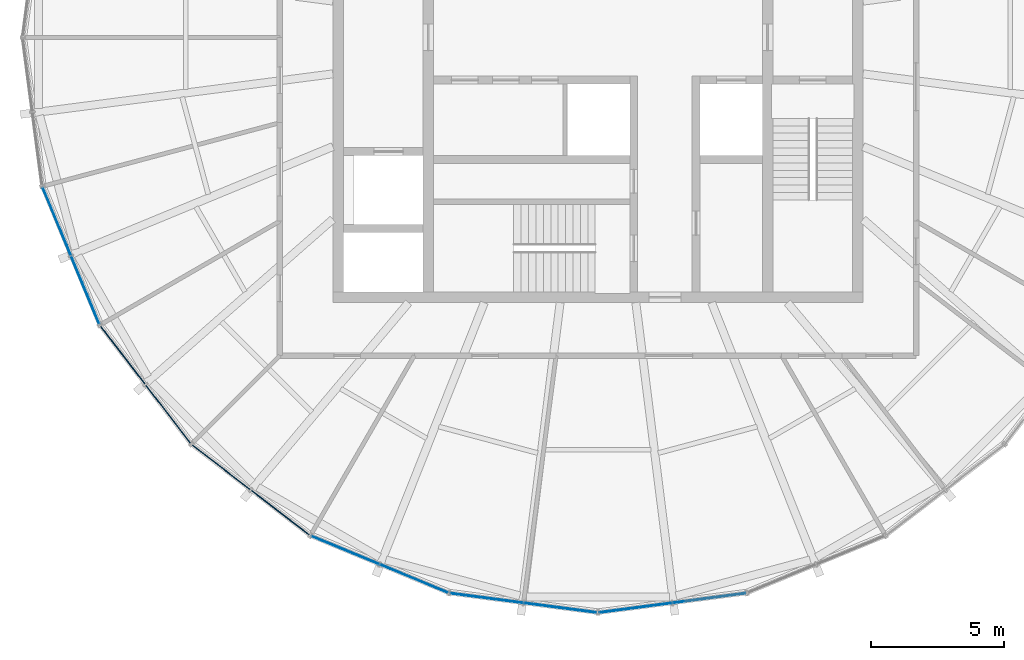
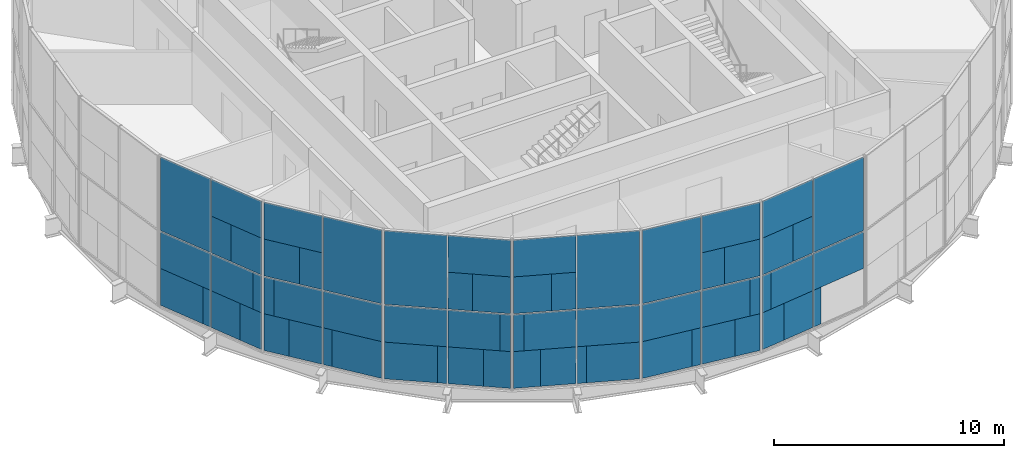
# One storey, part 8 of 18: 65 plates, 6 elements without a shape of their own.
"""IFC4 building model written with IfcOpenShell, lengths in metres."""

from ifc_helpers import new_model, si_unit, direction, frame, origin, origin_2d, place, context, subcontext, project, spatial, rectangle, extrude, material, layer, layer_set, type_object, element, aggregate, save


model = new_model("IFC4")

# Units and contexts
model_context = context("Model", 3, precision=1e-05, world=origin(), true_north=direction((0.0, 1.0)))
body_context = subcontext(model_context, "Body", "Model", "MODEL_VIEW")
ifc_project = project(units=[si_unit("LENGTHUNIT", "METRE"), si_unit("AREAUNIT", "SQUARE_METRE"), si_unit("VOLUMEUNIT", "CUBIC_METRE"), si_unit("PLANEANGLEUNIT", "RADIAN"), si_unit("MASSUNIT", "GRAM", prefix="KILO")], contexts=[model_context])

# Site, building, storey
site_placement = place(None, origin())
site = spatial("IfcSite", under=ifc_project, at=site_placement, CompositionType="ELEMENT")
building_placement = place(site_placement, origin())
building = spatial("IfcBuilding", under=site, at=building_placement, Name="Golbaran Civic Tower", CompositionType="ELEMENT")
storey_placement = place(building_placement, frame((0.0, 0.0, 272.0)))
storey = spatial("IfcBuildingStorey", under=building, at=storey_placement, Name="L66", CompositionType="ELEMENT", Elevation=272.0)

# Curtain wall, plates
ifc_material_1 = material(Name="Aluminium and glass", Category="aluminium")
curtain_wall_type = type_object("IfcCurtainWallType", Name="INNER SKIN CURTAIN WALL EXECUTIVE", PredefinedType="NOTDEFINED", material=ifc_material_1)
curtain_wall_1_placement = place(storey_placement, origin())
curtain_wall_1 = element("IfcCurtainWall", 1, at=curtain_wall_1_placement, inside=storey, type_object=curtain_wall_type, Name="Inner skin L66 facet 14 CW2", ObjectType="INNER SKIN", PredefinedType="USERDEFINED")
ifc_material_2 = material(Name="Clear insulating glass", Category="glass")
ifc_layer_1 = layer(ifc_material_2, 0.031982421875, Name="Clear insulating glass")
ifc_layer_set_1 = layer_set([ifc_layer_1], Name="Clear insulating glass")
plate_type_1 = type_object("IfcPlateType", Name="INNER SKIN CURTAIN WALL EXECUTIVE GLAZED PANEL", PredefinedType="CURTAIN_PANEL", material=ifc_layer_set_1)
plate_1_placement = place(storey_placement, frame((-20.48876953125, -6.7529296875, 0.06005859375), z_axis=(0.0, 0.0, 1.0), x_axis=(0.382683432397, -0.923879532498, 0.0)))
plate_1 = element("IfcPlate", 2, at=plate_1_placement, type_object=plate_type_1, Name="CW2 panel 1.1 part 1", PredefinedType="CURTAIN_PANEL", context=body_context, shape_type="SweptSolid", body=[
    extrude(rectangle(XDim=2.341064453125, YDim=0.031982421875, at=origin_2d()), origin(), (0.0, 0.0, 1.0), 1.955078125),
])
plate_2_placement = place(storey_placement, frame((-20.411865234375, -6.938232421875, 2.014892578125), z_axis=(0.0, 0.0, 1.0), x_axis=(0.382683432397, -0.923879532498, 0.0)))
plate_2 = element("IfcPlate", 3, at=plate_2_placement, type_object=plate_type_1, Name="CW2 panel 1.1 part 3", PredefinedType="CURTAIN_PANEL", context=body_context, shape_type="SweptSolid", body=[
    extrude(rectangle(XDim=2.7421875, YDim=0.031982421875, at=origin_2d()), origin(), (0.0, 0.0, 1.0), 1.955078125),
])
plate_3_placement = place(storey_placement, frame((-20.411865234375, -6.938232421875, 4.0302734375), z_axis=(0.0, 0.0, 1.0), x_axis=(0.382683432397, -0.923879532498, 0.0)))
plate_3 = element("IfcPlate", 4, at=plate_3_placement, type_object=plate_type_1, Name="CW2 panel 1.2", PredefinedType="CURTAIN_PANEL", context=body_context, shape_type="SweptSolid", body=[
    extrude(rectangle(XDim=2.7421875, YDim=0.031982421875, at=origin_2d()), origin(), (0.0, 0.0, 1.0), 3.909912109375),
])
plate_4_placement = place(storey_placement, frame((-19.041259765625, -10.24755859375, 0.06005859375), z_axis=(0.0, 0.0, 1.0), x_axis=(0.382683432397, -0.923879532498, 0.0)))
plate_4 = element("IfcPlate", 5, at=plate_4_placement, type_object=plate_type_1, Name="CW2 panel 2.1 part 2", PredefinedType="CURTAIN_PANEL", context=body_context, shape_type="SweptSolid", body=[
    extrude(rectangle(XDim=1.183349609375, YDim=0.031982421875, at=origin_2d()), origin(), (0.0, 0.0, 1.0), 1.955078125),
])
plate_5_placement = place(storey_placement, frame((-18.90283203125, -10.58154296875, 2.014892578125), z_axis=(0.0, 0.0, 1.0), x_axis=(0.382683432397, -0.923879532498, 0.0)))
plate_5 = element("IfcPlate", 6, at=plate_5_placement, type_object=plate_type_1, Name="CW2 panel 2.1 part 4", PredefinedType="CURTAIN_PANEL", context=body_context, shape_type="SweptSolid", body=[
    extrude(rectangle(XDim=0.460205078125, YDim=0.031982421875, at=origin_2d()), origin(), (0.0, 0.0, 1.0), 1.955078125),
])
plate_6_placement = place(storey_placement, frame((-19.659423828125, -8.75537109375, 4.030029296875), z_axis=(0.0, 0.0, 1.0), x_axis=(0.382683432397, -0.923879532498, 0.0)))
plate_6 = element("IfcPlate", 7, at=plate_6_placement, type_object=plate_type_1, Name="CW2 panel 2.2 part 1", PredefinedType="CURTAIN_PANEL", context=body_context, shape_type="SweptSolid", body=[
    extrude(rectangle(XDim=1.071044921875, YDim=0.031982421875, at=origin_2d()), origin(), (0.0, 0.0, 1.0), 1.955078125),
])

curtain_wall_2_placement = place(storey_placement, origin())
curtain_wall_2 = element("IfcCurtainWall", 8, at=curtain_wall_2_placement, inside=storey, type_object=curtain_wall_type, Name="Inner skin L66 facet 15 CW2", ObjectType="INNER SKIN", PredefinedType="USERDEFINED")
plate_7_placement = place(storey_placement, frame((-18.395263671875, -11.366455078125, 0.06005859375), z_axis=(0.0, 0.0, 1.0), x_axis=(0.608761429036, -0.79335334027, 0.0)))
plate_7 = element("IfcPlate", 9, at=plate_7_placement, type_object=plate_type_1, Name="CW2 panel 1.1 part 1", PredefinedType="CURTAIN_PANEL", context=body_context, shape_type="SweptSolid", body=[
    extrude(rectangle(XDim=1.18310546875, YDim=0.031982421875, at=origin_2d()), origin(), (0.0, 0.0, 1.0), 1.955078125),
])
plate_8_placement = place(storey_placement, frame((-18.615234375, -11.07958984375, 2.014892578125), z_axis=(0.0, 0.0, 1.0), x_axis=(0.608761429036, -0.79335334027, 0.0)))
plate_8 = element("IfcPlate", 10, at=plate_8_placement, type_object=plate_type_1, Name="CW2 panel 1.1 part 3", PredefinedType="CURTAIN_PANEL", context=body_context, shape_type="SweptSolid", body=[
    extrude(rectangle(XDim=0.4599609375, YDim=0.031982421875, at=origin_2d()), origin(), (0.0, 0.0, 1.0), 1.955078125),
])
plate_9_placement = place(storey_placement, frame((-17.412109375, -12.647705078125, 4.030029296875), z_axis=(0.0, 0.0, 1.0), x_axis=(0.608761429036, -0.79335334027, 0.0)))
plate_9 = element("IfcPlate", 11, at=plate_9_placement, type_object=plate_type_1, Name="CW2 panel 1.2 part 2", PredefinedType="CURTAIN_PANEL", context=body_context, shape_type="SweptSolid", body=[
    extrude(rectangle(XDim=1.0712890625, YDim=0.031982421875, at=origin_2d()), origin(), (0.0, 0.0, 1.0), 1.955078125),
])
plate_10_placement = place(storey_placement, frame((-16.0927734375, -14.3671875, 0.06005859375), z_axis=(0.0, 0.0, 1.0), x_axis=(0.608761429036, -0.79335334027, 0.0)))
plate_10 = element("IfcPlate", 12, at=plate_10_placement, type_object=plate_type_1, Name="CW2 panel 2.1 part 2", PredefinedType="CURTAIN_PANEL", context=body_context, shape_type="SweptSolid", body=[
    extrude(rectangle(XDim=2.34130859375, YDim=0.031982421875, at=origin_2d()), origin(), (0.0, 0.0, 1.0), 1.955078125),
])
plate_11_placement = place(storey_placement, frame((-16.21484375, -14.2080078125, 2.014892578125), z_axis=(0.0, 0.0, 1.0), x_axis=(0.608761429036, -0.79335334027, 0.0)))
plate_11 = element("IfcPlate", 13, at=plate_11_placement, type_object=plate_type_1, Name="CW2 panel 2.1 part 3", PredefinedType="CURTAIN_PANEL", context=body_context, shape_type="SweptSolid", body=[
    extrude(rectangle(XDim=2.7421875, YDim=0.031982421875, at=origin_2d()), origin(), (0.0, 0.0, 1.0), 1.955078125),
])
plate_12_placement = place(storey_placement, frame((-16.21484375, -14.2080078125, 4.0302734375), z_axis=(0.0, 0.0, 1.0), x_axis=(0.608761429036, -0.79335334027, 0.0)))
plate_12 = element("IfcPlate", 14, at=plate_12_placement, type_object=plate_type_1, Name="CW2 panel 2.2", PredefinedType="CURTAIN_PANEL", context=body_context, shape_type="SweptSolid", body=[
    extrude(rectangle(XDim=2.7421875, YDim=0.031982421875, at=origin_2d()), origin(), (0.0, 0.0, 1.0), 3.909912109375),
])

curtain_wall_3_placement = place(storey_placement, origin())
curtain_wall_3 = element("IfcCurtainWall", 15, at=curtain_wall_3_placement, inside=storey, type_object=curtain_wall_type, Name="Inner skin L66 facet 16 CW2", ObjectType="INNER SKIN", PredefinedType="USERDEFINED")
plate_13_placement = place(storey_placement, frame((-14.3671875, -16.092529296875, 0.06005859375), z_axis=(0.0, 0.0, 1.0), x_axis=(0.79335334027, -0.608761429036, 0.0)))
plate_13 = element("IfcPlate", 16, at=plate_13_placement, type_object=plate_type_1, Name="CW2 panel 1.1 part 1", PredefinedType="CURTAIN_PANEL", context=body_context, shape_type="SweptSolid", body=[
    extrude(rectangle(XDim=2.341064453125, YDim=0.031982421875, at=origin_2d()), origin(), (0.0, 0.0, 1.0), 1.955078125),
])
plate_14_placement = place(storey_placement, frame((-14.2080078125, -16.21484375, 2.014892578125), z_axis=(0.0, 0.0, 1.0), x_axis=(0.79335334027, -0.608761429036, 0.0)))
plate_14 = element("IfcPlate", 17, at=plate_14_placement, type_object=plate_type_1, Name="CW2 panel 1.1 part 3", PredefinedType="CURTAIN_PANEL", context=body_context, shape_type="SweptSolid", body=[
    extrude(rectangle(XDim=2.7421875, YDim=0.031982421875, at=origin_2d()), origin(), (0.0, 0.0, 1.0), 1.955078125),
])
plate_15_placement = place(storey_placement, frame((-14.2080078125, -16.21484375, 4.0302734375), z_axis=(0.0, 0.0, 1.0), x_axis=(0.79335334027, -0.608761429036, 0.0)))
plate_15 = element("IfcPlate", 18, at=plate_15_placement, type_object=plate_type_1, Name="CW2 panel 1.2", PredefinedType="CURTAIN_PANEL", context=body_context, shape_type="SweptSolid", body=[
    extrude(rectangle(XDim=2.7421875, YDim=0.031982421875, at=origin_2d()), origin(), (0.0, 0.0, 1.0), 3.909912109375),
])
plate_16_placement = place(storey_placement, frame((-11.366455078125, -18.395263671875, 0.06005859375), z_axis=(0.0, 0.0, 1.0), x_axis=(0.79335334027, -0.608761429036, 0.0)))
plate_16 = element("IfcPlate", 19, at=plate_16_placement, type_object=plate_type_1, Name="CW2 panel 2.1 part 2", PredefinedType="CURTAIN_PANEL", context=body_context, shape_type="SweptSolid", body=[
    extrude(rectangle(XDim=1.183349609375, YDim=0.031982421875, at=origin_2d()), origin(), (0.0, 0.0, 1.0), 1.955078125),
])
plate_17_placement = place(storey_placement, frame((-11.07958984375, -18.615234375, 2.014892578125), z_axis=(0.0, 0.0, 1.0), x_axis=(0.79335334027, -0.608761429036, 0.0)))
plate_17 = element("IfcPlate", 20, at=plate_17_placement, type_object=plate_type_1, Name="CW2 panel 2.1 part 4", PredefinedType="CURTAIN_PANEL", context=body_context, shape_type="SweptSolid", body=[
    extrude(rectangle(XDim=0.460205078125, YDim=0.031982421875, at=origin_2d()), origin(), (0.0, 0.0, 1.0), 1.955078125),
])
plate_18_placement = place(storey_placement, frame((-12.64794921875, -17.411865234375, 4.030029296875), z_axis=(0.0, 0.0, 1.0), x_axis=(0.79335334027, -0.608761429036, 0.0)))
plate_18 = element("IfcPlate", 21, at=plate_18_placement, type_object=plate_type_1, Name="CW2 panel 2.2 part 1", PredefinedType="CURTAIN_PANEL", context=body_context, shape_type="SweptSolid", body=[
    extrude(rectangle(XDim=1.071044921875, YDim=0.031982421875, at=origin_2d()), origin(), (0.0, 0.0, 1.0), 1.955078125),
])

curtain_wall_4_placement = place(storey_placement, origin())
curtain_wall_4 = element("IfcCurtainWall", 22, at=curtain_wall_4_placement, inside=storey, type_object=curtain_wall_type, Name="Inner skin L66 facet 17 CW2", ObjectType="INNER SKIN", PredefinedType="USERDEFINED")
plate_19_placement = place(storey_placement, frame((-10.24755859375, -19.041259765625, 0.06005859375), z_axis=(0.0, 0.0, 1.0), x_axis=(0.923879532498, -0.382683432397, 0.0)))
plate_19 = element("IfcPlate", 23, at=plate_19_placement, type_object=plate_type_1, Name="CW2 panel 1.1 part 1", PredefinedType="CURTAIN_PANEL", context=body_context, shape_type="SweptSolid", body=[
    extrude(rectangle(XDim=1.18310546875, YDim=0.031982421875, at=origin_2d()), origin(), (0.0, 0.0, 1.0), 1.955078125),
])
plate_20_placement = place(storey_placement, frame((-10.58154296875, -18.90283203125, 2.014892578125), z_axis=(0.0, 0.0, 1.0), x_axis=(0.923879532498, -0.382683432397, 0.0)))
plate_20 = element("IfcPlate", 24, at=plate_20_placement, type_object=plate_type_1, Name="CW2 panel 1.1 part 3", PredefinedType="CURTAIN_PANEL", context=body_context, shape_type="SweptSolid", body=[
    extrude(rectangle(XDim=0.4599609375, YDim=0.031982421875, at=origin_2d()), origin(), (0.0, 0.0, 1.0), 1.955078125),
])
plate_21_placement = place(storey_placement, frame((-8.75537109375, -19.6591796875, 4.030029296875), z_axis=(0.0, 0.0, 1.0), x_axis=(0.923879532498, -0.382683432397, 0.0)))
plate_21 = element("IfcPlate", 25, at=plate_21_placement, type_object=plate_type_1, Name="CW2 panel 1.2 part 2", PredefinedType="CURTAIN_PANEL", context=body_context, shape_type="SweptSolid", body=[
    extrude(rectangle(XDim=1.0712890625, YDim=0.031982421875, at=origin_2d()), origin(), (0.0, 0.0, 1.0), 1.955078125),
])
plate_22_placement = place(storey_placement, frame((-6.753173828125, -20.48876953125, 0.06005859375), z_axis=(0.0, 0.0, 1.0), x_axis=(0.923879532498, -0.382683432397, 0.0)))
plate_22 = element("IfcPlate", 26, at=plate_22_placement, type_object=plate_type_1, Name="CW2 panel 2.1 part 2", PredefinedType="CURTAIN_PANEL", context=body_context, shape_type="SweptSolid", body=[
    extrude(rectangle(XDim=2.34130859375, YDim=0.031982421875, at=origin_2d()), origin(), (0.0, 0.0, 1.0), 1.955078125),
])
plate_23_placement = place(storey_placement, frame((-6.938232421875, -20.411865234375, 2.014892578125), z_axis=(0.0, 0.0, 1.0), x_axis=(0.923879532498, -0.382683432397, 0.0)))
plate_23 = element("IfcPlate", 27, at=plate_23_placement, type_object=plate_type_1, Name="CW2 panel 2.1 part 3", PredefinedType="CURTAIN_PANEL", context=body_context, shape_type="SweptSolid", body=[
    extrude(rectangle(XDim=2.7421875, YDim=0.031982421875, at=origin_2d()), origin(), (0.0, 0.0, 1.0), 1.955078125),
])
plate_24_placement = place(storey_placement, frame((-6.938232421875, -20.411865234375, 4.0302734375), z_axis=(0.0, 0.0, 1.0), x_axis=(0.923879532498, -0.382683432397, 0.0)))
plate_24 = element("IfcPlate", 28, at=plate_24_placement, type_object=plate_type_1, Name="CW2 panel 2.2", PredefinedType="CURTAIN_PANEL", context=body_context, shape_type="SweptSolid", body=[
    extrude(rectangle(XDim=2.7421875, YDim=0.031982421875, at=origin_2d()), origin(), (0.0, 0.0, 1.0), 3.909912109375),
])

curtain_wall_5_placement = place(storey_placement, origin())
curtain_wall_5 = element("IfcCurtainWall", 29, at=curtain_wall_5_placement, inside=storey, type_object=curtain_wall_type, Name="Inner skin L66 facet 18 CW2", ObjectType="INNER SKIN", PredefinedType="USERDEFINED")
plate_25_placement = place(storey_placement, frame((-4.396240234375, -21.1201171875, 0.06005859375), z_axis=(0.0, 0.0, 1.0), x_axis=(0.991444861383, -0.130526192151, 0.0)))
plate_25 = element("IfcPlate", 30, at=plate_25_placement, type_object=plate_type_1, Name="CW2 panel 1.1 part 1", PredefinedType="CURTAIN_PANEL", context=body_context, shape_type="SweptSolid", body=[
    extrude(rectangle(XDim=2.341064453125, YDim=0.031982421875, at=origin_2d()), origin(), (0.0, 0.0, 1.0), 1.955078125),
])
plate_26_placement = place(storey_placement, frame((-4.197265625, -21.146484375, 2.014892578125), z_axis=(0.0, 0.0, 1.0), x_axis=(0.991444861383, -0.130526192151, 0.0)))
plate_26 = element("IfcPlate", 31, at=plate_26_placement, type_object=plate_type_1, Name="CW2 panel 1.1 part 3", PredefinedType="CURTAIN_PANEL", context=body_context, shape_type="SweptSolid", body=[
    extrude(rectangle(XDim=2.7421875, YDim=0.031982421875, at=origin_2d()), origin(), (0.0, 0.0, 1.0), 1.955078125),
])
plate_27_placement = place(storey_placement, frame((-4.197265625, -21.146484375, 4.0302734375), z_axis=(0.0, 0.0, 1.0), x_axis=(0.991444861383, -0.130526192151, 0.0)))
plate_27 = element("IfcPlate", 32, at=plate_27_placement, type_object=plate_type_1, Name="CW2 panel 1.2", PredefinedType="CURTAIN_PANEL", context=body_context, shape_type="SweptSolid", body=[
    extrude(rectangle(XDim=2.7421875, YDim=0.031982421875, at=origin_2d()), origin(), (0.0, 0.0, 1.0), 3.909912109375),
])
plate_28_placement = place(storey_placement, frame((-0.64599609375, -21.614013671875, 0.06005859375), z_axis=(0.0, 0.0, 1.0), x_axis=(0.991444861383, -0.130526192151, 0.0)))
plate_28 = element("IfcPlate", 33, at=plate_28_placement, type_object=plate_type_1, Name="CW2 panel 2.1 part 2", PredefinedType="CURTAIN_PANEL", context=body_context, shape_type="SweptSolid", body=[
    extrude(rectangle(XDim=1.183349609375, YDim=0.031982421875, at=origin_2d()), origin(), (0.0, 0.0, 1.0), 1.955078125),
])
plate_29_placement = place(storey_placement, frame((-0.28759765625, -21.6611328125, 2.014892578125), z_axis=(0.0, 0.0, 1.0), x_axis=(0.991444861383, -0.130526192151, 0.0)))
plate_29 = element("IfcPlate", 34, at=plate_29_placement, type_object=plate_type_1, Name="CW2 panel 2.1 part 4", PredefinedType="CURTAIN_PANEL", context=body_context, shape_type="SweptSolid", body=[
    extrude(rectangle(XDim=0.460205078125, YDim=0.031982421875, at=origin_2d()), origin(), (0.0, 0.0, 1.0), 1.955078125),
])
plate_30_placement = place(storey_placement, frame((-2.247314453125, -21.403076171875, 4.030029296875), z_axis=(0.0, 0.0, 1.0), x_axis=(0.991444861383, -0.130526192151, 0.0)))
plate_30 = element("IfcPlate", 35, at=plate_30_placement, type_object=plate_type_1, Name="CW2 panel 2.2 part 1", PredefinedType="CURTAIN_PANEL", context=body_context, shape_type="SweptSolid", body=[
    extrude(rectangle(XDim=1.071044921875, YDim=0.031982421875, at=origin_2d()), origin(), (0.0, 0.0, 1.0), 1.955078125),
])

curtain_wall_6_placement = place(storey_placement, origin())
curtain_wall_6 = element("IfcCurtainWall", 36, at=curtain_wall_6_placement, inside=storey, type_object=curtain_wall_type, Name="Inner skin L66 facet 19 CW2", ObjectType="INNER SKIN", PredefinedType="USERDEFINED")
plate_31_placement = place(storey_placement, frame((0.64599609375, -21.614013671875, 0.06005859375), z_axis=(0.0, 0.0, 1.0), x_axis=(0.991444861383, 0.130526192151, 0.0)))
plate_31 = element("IfcPlate", 37, at=plate_31_placement, type_object=plate_type_1, Name="CW2 panel 1.1 part 1", PredefinedType="CURTAIN_PANEL", context=body_context, shape_type="SweptSolid", body=[
    extrude(rectangle(XDim=1.18310546875, YDim=0.031982421875, at=origin_2d()), origin(), (0.0, 0.0, 1.0), 1.955078125),
])
plate_32_placement = place(storey_placement, frame((0.28759765625, -21.6611328125, 2.014892578125), z_axis=(0.0, 0.0, 1.0), x_axis=(0.991444861383, 0.130526192151, 0.0)))
plate_32 = element("IfcPlate", 38, at=plate_32_placement, type_object=plate_type_1, Name="CW2 panel 1.1 part 3", PredefinedType="CURTAIN_PANEL", context=body_context, shape_type="SweptSolid", body=[
    extrude(rectangle(XDim=0.4599609375, YDim=0.031982421875, at=origin_2d()), origin(), (0.0, 0.0, 1.0), 1.955078125),
])
plate_33_placement = place(storey_placement, frame((2.247314453125, -21.403076171875, 4.030029296875), z_axis=(0.0, 0.0, 1.0), x_axis=(0.991444861383, 0.130526192151, 0.0)))
plate_33 = element("IfcPlate", 39, at=plate_33_placement, type_object=plate_type_1, Name="CW2 panel 1.2 part 2", PredefinedType="CURTAIN_PANEL", context=body_context, shape_type="SweptSolid", body=[
    extrude(rectangle(XDim=1.0712890625, YDim=0.031982421875, at=origin_2d()), origin(), (0.0, 0.0, 1.0), 1.955078125),
])
plate_34_placement = place(storey_placement, frame((4.197265625, -21.146484375, 2.014892578125), z_axis=(0.0, 0.0, 1.0), x_axis=(0.991444861383, 0.130526192151, 0.0)))
plate_34 = element("IfcPlate", 40, at=plate_34_placement, type_object=plate_type_1, Name="CW2 panel 2.1 part 3", PredefinedType="CURTAIN_PANEL", context=body_context, shape_type="SweptSolid", body=[
    extrude(rectangle(XDim=2.7421875, YDim=0.031982421875, at=origin_2d()), origin(), (0.0, 0.0, 1.0), 1.955078125),
])
plate_35_placement = place(storey_placement, frame((4.197265625, -21.146484375, 4.0302734375), z_axis=(0.0, 0.0, 1.0), x_axis=(0.991444861383, 0.130526192151, 0.0)))
plate_35 = element("IfcPlate", 41, at=plate_35_placement, type_object=plate_type_1, Name="CW2 panel 2.2", PredefinedType="CURTAIN_PANEL", context=body_context, shape_type="SweptSolid", body=[
    extrude(rectangle(XDim=2.7421875, YDim=0.031982421875, at=origin_2d()), origin(), (0.0, 0.0, 1.0), 3.909912109375),
])

# Plate
ifc_material_3 = material(Name="Aluminium faced opaque infill panel", Category="aluminium")
ifc_layer_2 = layer(ifc_material_3, 0.031982421875, Name="Aluminium faced opaque infill panel")
ifc_layer_set_2 = layer_set([ifc_layer_2], Name="Aluminium faced opaque infill panel")
plate_type_2 = type_object("IfcPlateType", Name="INNER SKIN CURTAIN WALL EXECUTIVE OPAQUE INFILL PANEL", PredefinedType="CURTAIN_PANEL", material=ifc_layer_set_2)
plate_36_placement = place(storey_placement, frame((-19.964111328125, -8.019775390625, 0.06005859375), z_axis=(0.0, 0.0, 1.0), x_axis=(0.382683432397, -0.923879532498, 0.0)))
plate_36 = element("IfcPlate", 42, at=plate_36_placement, type_object=plate_type_2, Name="CW2 infill panel 1.1 part 2", PredefinedType="CURTAIN_PANEL", context=body_context, shape_type="SweptSolid", body=[
    extrude(rectangle(XDim=0.4013671875, YDim=0.031982421875, at=origin_2d()), origin(), (0.0, 0.0, 1.0), 1.955078125),
])

plate_37_placement = place(storey_placement, frame((-19.56591796875, -8.980712890625, 0.06005859375), z_axis=(0.0, 0.0, 1.0), x_axis=(0.382683432397, -0.923879532498, 0.0)))
plate_37 = element("IfcPlate", 43, at=plate_37_placement, type_object=plate_type_2, Name="CW2 infill panel 2.1 part 1", PredefinedType="CURTAIN_PANEL", context=body_context, shape_type="SweptSolid", body=[
    extrude(rectangle(XDim=1.55908203125, YDim=0.031982421875, at=origin_2d()), origin(), (0.0, 0.0, 1.0), 1.955078125),
])

plate_38_placement = place(storey_placement, frame((-19.427734375, -9.314697265625, 2.014892578125), z_axis=(0.0, 0.0, 1.0), x_axis=(0.382683432397, -0.923879532498, 0.0)))
plate_38 = element("IfcPlate", 44, at=plate_38_placement, type_object=plate_type_2, Name="CW2 infill panel 2.1 part 3", PredefinedType="CURTAIN_PANEL", context=body_context, shape_type="SweptSolid", body=[
    extrude(rectangle(XDim=2.281982421875, YDim=0.031982421875, at=origin_2d()), origin(), (0.0, 0.0, 1.0), 1.955078125),
])

plate_39_placement = place(storey_placement, frame((-19.134521484375, -10.02197265625, 4.030029296875), z_axis=(0.0, 0.0, 1.0), x_axis=(0.382683432397, -0.923879532498, 0.0)))
plate_39 = element("IfcPlate", 45, at=plate_39_placement, type_object=plate_type_2, Name="CW2 infill panel 2.2 part 2", PredefinedType="CURTAIN_PANEL", context=body_context, shape_type="SweptSolid", body=[
    extrude(rectangle(XDim=1.67138671875, YDim=0.031982421875, at=origin_2d()), origin(), (0.0, 0.0, 1.0), 1.955078125),
])

plate_40_placement = place(storey_placement, frame((-19.339599609375, -9.52734375, 5.98486328125), z_axis=(0.0, 0.0, 1.0), x_axis=(0.382683432397, -0.923879532498, 0.0)))
plate_40 = element("IfcPlate", 46, at=plate_40_placement, type_object=plate_type_2, Name="CW2 infill panel 2.2 part 3", PredefinedType="CURTAIN_PANEL", context=body_context, shape_type="SweptSolid", body=[
    extrude(rectangle(XDim=2.7421875, YDim=0.031982421875, at=origin_2d()), origin(), (0.0, 0.0, 1.0), 1.955078125),
])

aggregate(curtain_wall_1, [plate_1, plate_36, plate_2, plate_3, plate_37, plate_4, plate_38, plate_5, plate_6, plate_39, plate_40])

plate_41_placement = place(storey_placement, frame((-17.560546875, -12.4541015625, 0.06005859375), z_axis=(0.0, 0.0, 1.0), x_axis=(0.608761429036, -0.79335334027, 0.0)))
plate_41 = element("IfcPlate", 47, at=plate_41_placement, type_object=plate_type_2, Name="CW2 infill panel 1.1 part 2", PredefinedType="CURTAIN_PANEL", context=body_context, shape_type="SweptSolid", body=[
    extrude(rectangle(XDim=1.559326171875, YDim=0.031982421875, at=origin_2d()), origin(), (0.0, 0.0, 1.0), 1.955078125),
])

plate_42_placement = place(storey_placement, frame((-17.78076171875, -12.16748046875, 2.014892578125), z_axis=(0.0, 0.0, 1.0), x_axis=(0.608761429036, -0.79335334027, 0.0)))
plate_42 = element("IfcPlate", 48, at=plate_42_placement, type_object=plate_type_2, Name="CW2 infill panel 1.1 part 4", PredefinedType="CURTAIN_PANEL", context=body_context, shape_type="SweptSolid", body=[
    extrude(rectangle(XDim=2.2822265625, YDim=0.031982421875, at=origin_2d()), origin(), (0.0, 0.0, 1.0), 1.955078125),
])

plate_43_placement = place(storey_placement, frame((-18.246826171875, -11.56005859375, 4.030029296875), z_axis=(0.0, 0.0, 1.0), x_axis=(0.608761429036, -0.79335334027, 0.0)))
plate_43 = element("IfcPlate", 49, at=plate_43_placement, type_object=plate_type_2, Name="CW2 infill panel 1.2 part 1", PredefinedType="CURTAIN_PANEL", context=body_context, shape_type="SweptSolid", body=[
    extrude(rectangle(XDim=1.6708984375, YDim=0.031982421875, at=origin_2d()), origin(), (0.0, 0.0, 1.0), 1.955078125),
])

plate_44_placement = place(storey_placement, frame((-17.920654296875, -11.98486328125, 5.98486328125), z_axis=(0.0, 0.0, 1.0), x_axis=(0.608761429036, -0.79335334027, 0.0)))
plate_44 = element("IfcPlate", 50, at=plate_44_placement, type_object=plate_type_2, Name="CW2 infill panel 1.2 part 3", PredefinedType="CURTAIN_PANEL", context=body_context, shape_type="SweptSolid", body=[
    extrude(rectangle(XDim=2.7421875, YDim=0.031982421875, at=origin_2d()), origin(), (0.0, 0.0, 1.0), 1.955078125),
])

plate_45_placement = place(storey_placement, frame((-16.927490234375, -13.279296875, 0.06005859375), z_axis=(0.0, 0.0, 1.0), x_axis=(0.608761429036, -0.79335334027, 0.0)))
plate_45 = element("IfcPlate", 51, at=plate_45_placement, type_object=plate_type_2, Name="CW2 infill panel 2.1 part 1", PredefinedType="CURTAIN_PANEL", context=body_context, shape_type="SweptSolid", body=[
    extrude(rectangle(XDim=0.40087890625, YDim=0.031982421875, at=origin_2d()), origin(), (0.0, 0.0, 1.0), 1.955078125),
])

aggregate(curtain_wall_2, [plate_7, plate_41, plate_8, plate_42, plate_43, plate_9, plate_44, plate_45, plate_10, plate_11, plate_12])

plate_46_placement = place(storey_placement, frame((-13.279541015625, -16.92724609375, 0.06005859375), z_axis=(0.0, 0.0, 1.0), x_axis=(0.79335334027, -0.608761429036, 0.0)))
plate_46 = element("IfcPlate", 52, at=plate_46_placement, type_object=plate_type_2, Name="CW2 infill panel 1.1 part 2", PredefinedType="CURTAIN_PANEL", context=body_context, shape_type="SweptSolid", body=[
    extrude(rectangle(XDim=0.4013671875, YDim=0.031982421875, at=origin_2d()), origin(), (0.0, 0.0, 1.0), 1.955078125),
])

plate_47_placement = place(storey_placement, frame((-12.454345703125, -17.560546875, 0.06005859375), z_axis=(0.0, 0.0, 1.0), x_axis=(0.79335334027, -0.608761429036, 0.0)))
plate_47 = element("IfcPlate", 53, at=plate_47_placement, type_object=plate_type_2, Name="CW2 infill panel 2.1 part 1", PredefinedType="CURTAIN_PANEL", context=body_context, shape_type="SweptSolid", body=[
    extrude(rectangle(XDim=1.55908203125, YDim=0.031982421875, at=origin_2d()), origin(), (0.0, 0.0, 1.0), 1.955078125),
])

plate_48_placement = place(storey_placement, frame((-12.16748046875, -17.780517578125, 2.014892578125), z_axis=(0.0, 0.0, 1.0), x_axis=(0.79335334027, -0.608761429036, 0.0)))
plate_48 = element("IfcPlate", 54, at=plate_48_placement, type_object=plate_type_2, Name="CW2 infill panel 2.1 part 3", PredefinedType="CURTAIN_PANEL", context=body_context, shape_type="SweptSolid", body=[
    extrude(rectangle(XDim=2.281982421875, YDim=0.031982421875, at=origin_2d()), origin(), (0.0, 0.0, 1.0), 1.955078125),
])

plate_49_placement = place(storey_placement, frame((-11.56005859375, -18.24658203125, 4.030029296875), z_axis=(0.0, 0.0, 1.0), x_axis=(0.79335334027, -0.608761429036, 0.0)))
plate_49 = element("IfcPlate", 55, at=plate_49_placement, type_object=plate_type_2, Name="CW2 infill panel 2.2 part 2", PredefinedType="CURTAIN_PANEL", context=body_context, shape_type="SweptSolid", body=[
    extrude(rectangle(XDim=1.67138671875, YDim=0.031982421875, at=origin_2d()), origin(), (0.0, 0.0, 1.0), 1.955078125),
])

plate_50_placement = place(storey_placement, frame((-11.98486328125, -17.920654296875, 5.98486328125), z_axis=(0.0, 0.0, 1.0), x_axis=(0.79335334027, -0.608761429036, 0.0)))
plate_50 = element("IfcPlate", 56, at=plate_50_placement, type_object=plate_type_2, Name="CW2 infill panel 2.2 part 3", PredefinedType="CURTAIN_PANEL", context=body_context, shape_type="SweptSolid", body=[
    extrude(rectangle(XDim=2.7421875, YDim=0.031982421875, at=origin_2d()), origin(), (0.0, 0.0, 1.0), 1.955078125),
])

aggregate(curtain_wall_3, [plate_13, plate_46, plate_14, plate_15, plate_47, plate_16, plate_48, plate_17, plate_18, plate_49, plate_50])

plate_51_placement = place(storey_placement, frame((-8.980712890625, -19.56591796875, 0.06005859375), z_axis=(0.0, 0.0, 1.0), x_axis=(0.923879532498, -0.382683432397, 0.0)))
plate_51 = element("IfcPlate", 57, at=plate_51_placement, type_object=plate_type_2, Name="CW2 infill panel 1.1 part 2", PredefinedType="CURTAIN_PANEL", context=body_context, shape_type="SweptSolid", body=[
    extrude(rectangle(XDim=1.559326171875, YDim=0.031982421875, at=origin_2d()), origin(), (0.0, 0.0, 1.0), 1.955078125),
])

plate_52_placement = place(storey_placement, frame((-9.314697265625, -19.427490234375, 2.014892578125), z_axis=(0.0, 0.0, 1.0), x_axis=(0.923879532498, -0.382683432397, 0.0)))
plate_52 = element("IfcPlate", 58, at=plate_52_placement, type_object=plate_type_2, Name="CW2 infill panel 1.1 part 4", PredefinedType="CURTAIN_PANEL", context=body_context, shape_type="SweptSolid", body=[
    extrude(rectangle(XDim=2.2822265625, YDim=0.031982421875, at=origin_2d()), origin(), (0.0, 0.0, 1.0), 1.955078125),
])

plate_53_placement = place(storey_placement, frame((-10.022216796875, -19.134521484375, 4.030029296875), z_axis=(0.0, 0.0, 1.0), x_axis=(0.923879532498, -0.382683432397, 0.0)))
plate_53 = element("IfcPlate", 59, at=plate_53_placement, type_object=plate_type_2, Name="CW2 infill panel 1.2 part 1", PredefinedType="CURTAIN_PANEL", context=body_context, shape_type="SweptSolid", body=[
    extrude(rectangle(XDim=1.6708984375, YDim=0.031982421875, at=origin_2d()), origin(), (0.0, 0.0, 1.0), 1.955078125),
])

plate_54_placement = place(storey_placement, frame((-9.52734375, -19.339599609375, 5.98486328125), z_axis=(0.0, 0.0, 1.0), x_axis=(0.923879532498, -0.382683432397, 0.0)))
plate_54 = element("IfcPlate", 60, at=plate_54_placement, type_object=plate_type_2, Name="CW2 infill panel 1.2 part 3", PredefinedType="CURTAIN_PANEL", context=body_context, shape_type="SweptSolid", body=[
    extrude(rectangle(XDim=2.7421875, YDim=0.031982421875, at=origin_2d()), origin(), (0.0, 0.0, 1.0), 1.955078125),
])

plate_55_placement = place(storey_placement, frame((-8.019775390625, -19.9638671875, 0.06005859375), z_axis=(0.0, 0.0, 1.0), x_axis=(0.923879532498, -0.382683432397, 0.0)))
plate_55 = element("IfcPlate", 61, at=plate_55_placement, type_object=plate_type_2, Name="CW2 infill panel 2.1 part 1", PredefinedType="CURTAIN_PANEL", context=body_context, shape_type="SweptSolid", body=[
    extrude(rectangle(XDim=0.40087890625, YDim=0.031982421875, at=origin_2d()), origin(), (0.0, 0.0, 1.0), 1.955078125),
])

aggregate(curtain_wall_4, [plate_19, plate_51, plate_20, plate_52, plate_53, plate_21, plate_54, plate_55, plate_22, plate_23, plate_24])

plate_56_placement = place(storey_placement, frame((-3.03662109375, -21.29931640625, 0.06005859375), z_axis=(0.0, 0.0, 1.0), x_axis=(0.991444861383, -0.130526192151, 0.0)))
plate_56 = element("IfcPlate", 62, at=plate_56_placement, type_object=plate_type_2, Name="CW2 infill panel 1.1 part 2", PredefinedType="CURTAIN_PANEL", context=body_context, shape_type="SweptSolid", body=[
    extrude(rectangle(XDim=0.4013671875, YDim=0.031982421875, at=origin_2d()), origin(), (0.0, 0.0, 1.0), 1.955078125),
])

plate_57_placement = place(storey_placement, frame((-2.00537109375, -21.43505859375, 0.06005859375), z_axis=(0.0, 0.0, 1.0), x_axis=(0.991444861383, -0.130526192151, 0.0)))
plate_57 = element("IfcPlate", 63, at=plate_57_placement, type_object=plate_type_2, Name="CW2 infill panel 2.1 part 1", PredefinedType="CURTAIN_PANEL", context=body_context, shape_type="SweptSolid", body=[
    extrude(rectangle(XDim=1.55908203125, YDim=0.031982421875, at=origin_2d()), origin(), (0.0, 0.0, 1.0), 1.955078125),
])

plate_58_placement = place(storey_placement, frame((-1.64697265625, -21.482177734375, 2.014892578125), z_axis=(0.0, 0.0, 1.0), x_axis=(0.991444861383, -0.130526192151, 0.0)))
plate_58 = element("IfcPlate", 64, at=plate_58_placement, type_object=plate_type_2, Name="CW2 infill panel 2.1 part 3", PredefinedType="CURTAIN_PANEL", context=body_context, shape_type="SweptSolid", body=[
    extrude(rectangle(XDim=2.281982421875, YDim=0.031982421875, at=origin_2d()), origin(), (0.0, 0.0, 1.0), 1.955078125),
])

plate_59_placement = place(storey_placement, frame((-0.887939453125, -21.58203125, 4.030029296875), z_axis=(0.0, 0.0, 1.0), x_axis=(0.991444861383, -0.130526192151, 0.0)))
plate_59 = element("IfcPlate", 65, at=plate_59_placement, type_object=plate_type_2, Name="CW2 infill panel 2.2 part 2", PredefinedType="CURTAIN_PANEL", context=body_context, shape_type="SweptSolid", body=[
    extrude(rectangle(XDim=1.67138671875, YDim=0.031982421875, at=origin_2d()), origin(), (0.0, 0.0, 1.0), 1.955078125),
])

plate_60_placement = place(storey_placement, frame((-1.4189453125, -21.51220703125, 5.98486328125), z_axis=(0.0, 0.0, 1.0), x_axis=(0.991444861383, -0.130526192151, 0.0)))
plate_60 = element("IfcPlate", 66, at=plate_60_placement, type_object=plate_type_2, Name="CW2 infill panel 2.2 part 3", PredefinedType="CURTAIN_PANEL", context=body_context, shape_type="SweptSolid", body=[
    extrude(rectangle(XDim=2.7421875, YDim=0.031982421875, at=origin_2d()), origin(), (0.0, 0.0, 1.0), 1.955078125),
])

aggregate(curtain_wall_5, [plate_25, plate_56, plate_26, plate_27, plate_57, plate_28, plate_58, plate_29, plate_30, plate_59, plate_60])

plate_61_placement = place(storey_placement, frame((2.00537109375, -21.43505859375, 0.06005859375), z_axis=(0.0, 0.0, 1.0), x_axis=(0.991444861383, 0.130526192151, 0.0)))
plate_61 = element("IfcPlate", 67, at=plate_61_placement, type_object=plate_type_2, Name="CW2 infill panel 1.1 part 2", PredefinedType="CURTAIN_PANEL", context=body_context, shape_type="SweptSolid", body=[
    extrude(rectangle(XDim=1.559326171875, YDim=0.031982421875, at=origin_2d()), origin(), (0.0, 0.0, 1.0), 1.955078125),
])

plate_62_placement = place(storey_placement, frame((1.64697265625, -21.482177734375, 2.014892578125), z_axis=(0.0, 0.0, 1.0), x_axis=(0.991444861383, 0.130526192151, 0.0)))
plate_62 = element("IfcPlate", 68, at=plate_62_placement, type_object=plate_type_2, Name="CW2 infill panel 1.1 part 4", PredefinedType="CURTAIN_PANEL", context=body_context, shape_type="SweptSolid", body=[
    extrude(rectangle(XDim=2.2822265625, YDim=0.031982421875, at=origin_2d()), origin(), (0.0, 0.0, 1.0), 1.955078125),
])

plate_63_placement = place(storey_placement, frame((0.887939453125, -21.58203125, 4.030029296875), z_axis=(0.0, 0.0, 1.0), x_axis=(0.991444861383, 0.130526192151, 0.0)))
plate_63 = element("IfcPlate", 69, at=plate_63_placement, type_object=plate_type_2, Name="CW2 infill panel 1.2 part 1", PredefinedType="CURTAIN_PANEL", context=body_context, shape_type="SweptSolid", body=[
    extrude(rectangle(XDim=1.6708984375, YDim=0.031982421875, at=origin_2d()), origin(), (0.0, 0.0, 1.0), 1.955078125),
])

plate_64_placement = place(storey_placement, frame((1.4189453125, -21.51220703125, 5.98486328125), z_axis=(0.0, 0.0, 1.0), x_axis=(0.991444861383, 0.130526192151, 0.0)))
plate_64 = element("IfcPlate", 70, at=plate_64_placement, type_object=plate_type_2, Name="CW2 infill panel 1.2 part 3", PredefinedType="CURTAIN_PANEL", context=body_context, shape_type="SweptSolid", body=[
    extrude(rectangle(XDim=2.7421875, YDim=0.031982421875, at=origin_2d()), origin(), (0.0, 0.0, 1.0), 1.955078125),
])

plate_65_placement = place(storey_placement, frame((3.03662109375, -21.29931640625, 0.06005859375), z_axis=(0.0, 0.0, 1.0), x_axis=(0.991444861383, 0.130526192151, 0.0)))
plate_65 = element("IfcPlate", 71, at=plate_65_placement, type_object=plate_type_2, Name="CW2 infill panel 2.1 part 1", PredefinedType="CURTAIN_PANEL", context=body_context, shape_type="SweptSolid", body=[
    extrude(rectangle(XDim=0.40087890625, YDim=0.031982421875, at=origin_2d()), origin(), (0.0, 0.0, 1.0), 1.955078125),
])

aggregate(curtain_wall_6, [plate_31, plate_61, plate_32, plate_62, plate_63, plate_33, plate_64, plate_65, plate_34, plate_35])

save(model, "model.ifc")
